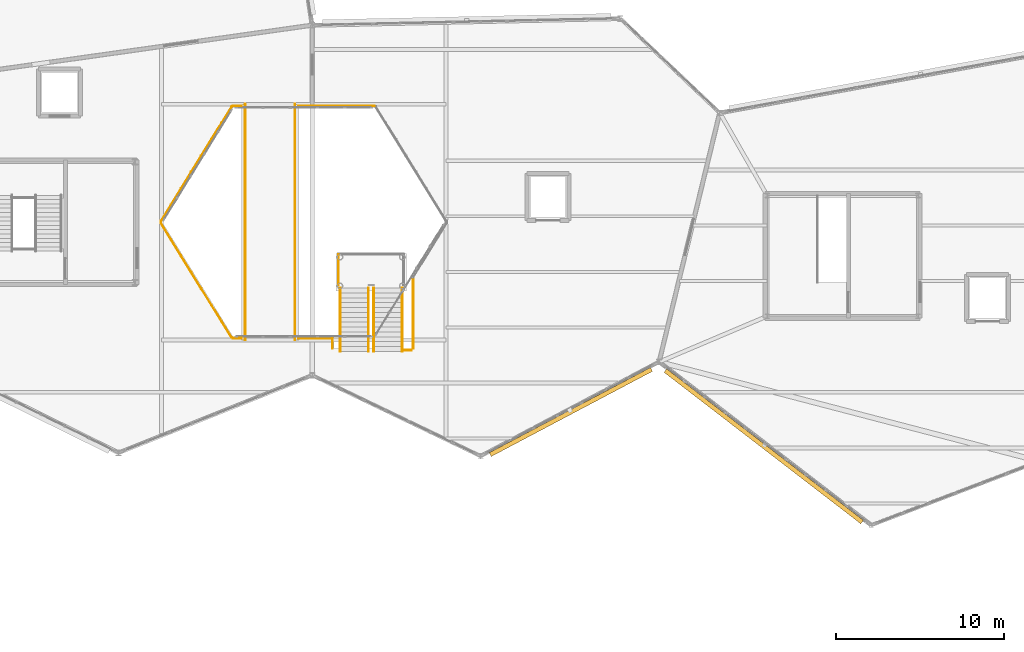
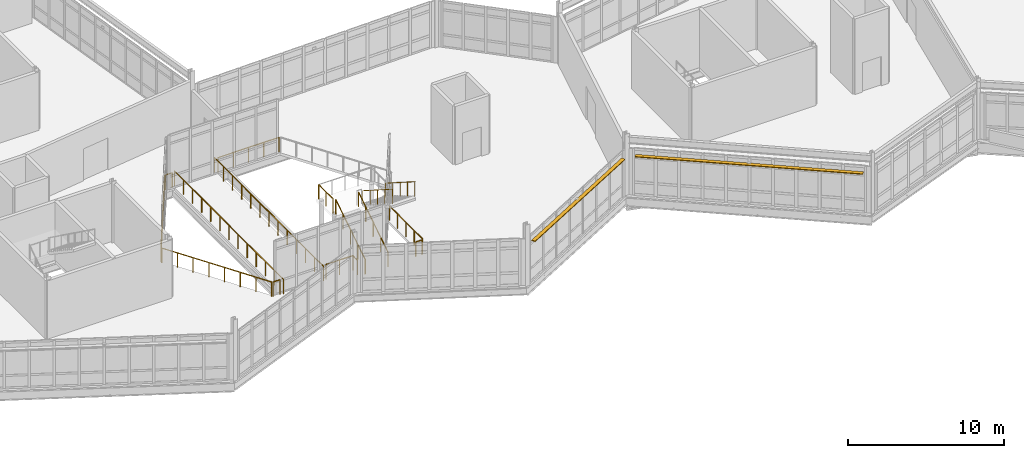
# One storey, part 72 of 76: 16 railings, 2 shading devices.
"""IFC4 building model written with IfcOpenShell, lengths in metres."""

from ifc_helpers import new_model, si_unit, direction, frame, origin, origin_2d, place, context, subcontext, project, spatial, rectangle, circle, extrude, material, layer, layer_set, type_object, element, save


model = new_model("IFC4")

# Units and contexts
model_context = context("Model", 3, precision=1e-05, world=origin(), true_north=direction((0.0, 1.0)))
body_context = subcontext(model_context, "Body", "Model", "MODEL_VIEW")
ifc_project = project(units=[si_unit("LENGTHUNIT", "METRE"), si_unit("AREAUNIT", "SQUARE_METRE"), si_unit("VOLUMEUNIT", "CUBIC_METRE"), si_unit("PLANEANGLEUNIT", "RADIAN"), si_unit("MASSUNIT", "GRAM", prefix="KILO")], contexts=[model_context])

# Site, building, storey
site_placement = place(None, origin())
site = spatial("IfcSite", under=ifc_project, at=site_placement, CompositionType="ELEMENT")
building_placement = place(site_placement, origin())
building = spatial("IfcBuilding", under=site, at=building_placement, Name="Tameran Prism Museum", CompositionType="ELEMENT")
storey_placement = place(building_placement, frame((0.0, 0.0, 15.0)))
storey = spatial("IfcBuildingStorey", under=building, at=storey_placement, Name="L03", CompositionType="ELEMENT", Elevation=15.0)

# Railings
ifc_material_1 = material(Name="Laminated Glass and Stainless Steel 316", Category="steel")
ifc_layer_1 = layer(ifc_material_1, 0.06494140625)
ifc_layer_set_1 = layer_set([ifc_layer_1])
railing_type = type_object("IfcRailingType", Name="RL-BAL-1150", PredefinedType="BALUSTRADE", material=ifc_layer_set_1)
for number, where, name in (
    (1, (79.159912109375, 28.820068359375, 0.0), "Atrium Stair Guardrail BL-131"),
    (2, (80.840087890625, 28.820068359375, 0.0), "Atrium Stair Guardrail BL-132"),
):
    element("IfcRailing", number, at=place(storey_placement, frame(where)), inside=storey, type_object=railing_type, Name=name, PredefinedType="BALUSTRADE", context=body_context, shape_type="SweptSolid", body=[
        extrude(circle(Radius=0.02392578125, at=origin_2d()), frame((0.0, 0.0, 1.1259765625), z_axis=(0.0, 0.843580498726, 0.537002739443), x_axis=(-1.0, 0.0, 0.0)), (0.0, 0.0, 1.0), 4.468994140625),
        extrude(circle(Radius=0.02099609375, at=origin_2d()), origin(), (0.0, 0.0, 1.0), 1.101806640625),
        extrude(circle(Radius=0.02099609375, at=origin_2d()), frame((0.0, 0.9423828125, 0.60009765625)), (0.0, 0.0, 1.0), 1.101806640625),
        extrude(circle(Radius=0.02099609375, at=origin_2d()), frame((0.0, 1.885009765625, 1.199951171875)), (0.0, 0.0, 1.0), 1.101806640625),
        extrude(circle(Radius=0.02099609375, at=origin_2d()), frame((0.0, 2.82763671875, 1.7998046875)), (0.0, 0.0, 1.0), 1.101806640625),
        extrude(circle(Radius=0.02099609375, at=origin_2d()), frame((0.0, 3.77001953125, 2.39990234375)), (0.0, 0.0, 1.0), 1.101806640625),
    ])
for number, where, name in (
    (3, (81.159912109375, 32.590087890625, 2.39990234375), "Atrium Stair Guardrail BL-133"),
    (4, (82.840087890625, 32.590087890625, 2.39990234375), "Atrium Stair Guardrail BL-134"),
):
    element("IfcRailing", number, at=place(storey_placement, frame(where)), inside=storey, type_object=railing_type, Name=name, PredefinedType="BALUSTRADE", context=body_context, shape_type="SweptSolid", body=[
        extrude(circle(Radius=0.02392578125, at=origin_2d()), frame((0.0, 0.0, 1.1259765625), z_axis=(0.0, -0.843555751359, 0.537041613237), x_axis=(1.0, 0.0, 0.0)), (0.0, 0.0, 1.0), 4.46923828125),
        extrude(circle(Radius=0.02099609375, at=origin_2d()), origin(), (0.0, 0.0, 1.0), 1.101806640625),
        extrude(circle(Radius=0.02099609375, at=origin_2d()), frame((0.0, -0.9423828125, 0.60009765625)), (0.0, 0.0, 1.0), 1.101806640625),
        extrude(circle(Radius=0.02099609375, at=origin_2d()), frame((0.0, -1.885009765625, 1.2001953125)), (0.0, 0.0, 1.0), 1.101806640625),
        extrude(circle(Radius=0.02099609375, at=origin_2d()), frame((0.0, -2.82763671875, 1.800048828125)), (0.0, 0.0, 1.0), 1.101806640625),
        extrude(circle(Radius=0.02099609375, at=origin_2d()), frame((0.0, -3.77001953125, 2.400146484375)), (0.0, 0.0, 1.0), 1.101806640625),
    ])
railing_1_placement = place(storey_placement, frame((79.06005859375, 32.77001953125, 2.39990234375)))
element("IfcRailing", 5, at=railing_1_placement, inside=storey, type_object=railing_type, Name="Atrium Landing Perimeter Guard BL-136", PredefinedType="BALUSTRADE", context=body_context, shape_type="SweptSolid", body=[
    extrude(circle(Radius=0.02392578125, at=origin_2d()), frame((0.0, 0.0, 1.1259765625), z_axis=(0.0, 1.0, 0.0), x_axis=(-1.0, 0.0, 0.0)), (0.0, 0.0, 1.0), 1.820068359375),
    extrude(circle(Radius=0.02099609375, at=origin_2d()), origin(), (0.0, 0.0, 1.0), 1.101806640625),
    extrude(circle(Radius=0.02099609375, at=origin_2d()), frame((0.0, 0.91015625, 0.0)), (0.0, 0.0, 1.0), 1.101806640625),
    extrude(circle(Radius=0.02099609375, at=origin_2d()), frame((0.0, 1.820068359375, 0.0)), (0.0, 0.0, 1.0), 1.101806640625),
])
railing_2_placement = place(storey_placement, frame((72.715087890625, 29.64697265625, 0.0)))
element("IfcRailing", 6, at=railing_2_placement, inside=storey, type_object=railing_type, Name="Atrium Void Balustrade BL-A021", PredefinedType="BALUSTRADE", context=body_context, shape_type="SweptSolid", body=[
    extrude(circle(Radius=0.02392578125, at=origin_2d()), frame((0.0, 0.0, 1.1259765625), z_axis=(-0.525507837885, 0.85078875893, 0.0), x_axis=(-0.85078875893, -0.525507837885, 0.0)), (0.0, 0.0, 1.0), 7.99267578125),
    extrude(circle(Radius=0.02099609375, at=origin_2d()), origin(), (0.0, 0.0, 1.0), 1.101806640625),
    extrude(circle(Radius=0.02099609375, at=origin_2d()), frame((-0.60009765625, 0.971435546875, 0.0)), (0.0, 0.0, 1.0), 1.101806640625),
    extrude(circle(Radius=0.02099609375, at=origin_2d()), frame((-1.199951171875, 1.94287109375, 0.0)), (0.0, 0.0, 1.0), 1.101806640625),
    extrude(circle(Radius=0.02099609375, at=origin_2d()), frame((-1.800048828125, 2.914306640625, 0.0)), (0.0, 0.0, 1.0), 1.101806640625),
    extrude(circle(Radius=0.02099609375, at=origin_2d()), frame((-2.400146484375, 3.8857421875, 0.0)), (0.0, 0.0, 1.0), 1.101806640625),
    extrude(circle(Radius=0.02099609375, at=origin_2d()), frame((-3.000244140625, 4.857177734375, 0.0)), (0.0, 0.0, 1.0), 1.101806640625),
    extrude(circle(Radius=0.02099609375, at=origin_2d()), frame((-3.60009765625, 5.82861328125, 0.0)), (0.0, 0.0, 1.0), 1.101806640625),
    extrude(circle(Radius=0.02099609375, at=origin_2d()), frame((-4.2001953125, 6.800048828125, 0.0)), (0.0, 0.0, 1.0), 1.101806640625),
])
railing_3_placement = place(storey_placement, frame((68.514892578125, 36.552978515625, 0.0)))
element("IfcRailing", 7, at=railing_3_placement, inside=storey, type_object=railing_type, Name="Atrium Void Balustrade BL-A022", PredefinedType="BALUSTRADE", context=body_context, shape_type="SweptSolid", body=[
    extrude(circle(Radius=0.02392578125, at=origin_2d()), frame((0.0, 0.0, 1.1259765625), z_axis=(0.525507837885, 0.85078875893, 0.0), x_axis=(-0.85078875893, 0.525507837885, 0.0)), (0.0, 0.0, 1.0), 7.99267578125),
    extrude(circle(Radius=0.02099609375, at=origin_2d()), origin(), (0.0, 0.0, 1.0), 1.101806640625),
    extrude(circle(Radius=0.02099609375, at=origin_2d()), frame((0.60009765625, 0.971435546875, 0.0)), (0.0, 0.0, 1.0), 1.101806640625),
    extrude(circle(Radius=0.02099609375, at=origin_2d()), frame((1.199951171875, 1.94287109375, 0.0)), (0.0, 0.0, 1.0), 1.101806640625),
    extrude(circle(Radius=0.02099609375, at=origin_2d()), frame((1.800048828125, 2.914306640625, 0.0)), (0.0, 0.0, 1.0), 1.101806640625),
    extrude(circle(Radius=0.02099609375, at=origin_2d()), frame((2.400146484375, 3.8857421875, 0.0)), (0.0, 0.0, 1.0), 1.101806640625),
    extrude(circle(Radius=0.02099609375, at=origin_2d()), frame((3.000244140625, 4.857177734375, 0.0)), (0.0, 0.0, 1.0), 1.101806640625),
    extrude(circle(Radius=0.02099609375, at=origin_2d()), frame((3.60009765625, 5.82861328125, 0.0)), (0.0, 0.0, 1.0), 1.101806640625),
    extrude(circle(Radius=0.02099609375, at=origin_2d()), frame((4.2001953125, 6.800048828125, 0.0)), (0.0, 0.0, 1.0), 1.101806640625),
])
railing_4_placement = place(storey_placement, frame((72.800048828125, 43.39990234375, 0.0)))
element("IfcRailing", 8, at=railing_4_placement, inside=storey, type_object=railing_type, Name="Atrium Void Balustrade BL-A023", PredefinedType="BALUSTRADE", context=body_context, shape_type="SweptSolid", body=[
    extrude(circle(Radius=0.02392578125, at=origin_2d()), frame((0.0, 0.0, 1.1259765625), z_axis=(1.0, 0.0, 0.0), x_axis=(0.0, 1.0, 0.0)), (0.0, 0.0, 1.0), 0.5),
    extrude(circle(Radius=0.02099609375, at=origin_2d()), origin(), (0.0, 0.0, 1.0), 1.101806640625),
    extrude(circle(Radius=0.02099609375, at=origin_2d()), frame((0.5, 0.0, 0.0)), (0.0, 0.0, 1.0), 1.101806640625),
])
railing_5_placement = place(storey_placement, frame((76.699951171875, 43.39990234375, 0.0)))
element("IfcRailing", 9, at=railing_5_placement, inside=storey, type_object=railing_type, Name="Atrium Void Balustrade BL-A024", PredefinedType="BALUSTRADE", context=body_context, shape_type="SweptSolid", body=[
    extrude(circle(Radius=0.02392578125, at=origin_2d()), frame((0.0, 0.0, 1.1259765625), z_axis=(1.0, 0.0, 0.0), x_axis=(0.0, 1.0, 0.0)), (0.0, 0.0, 1.0), 4.5),
    extrude(circle(Radius=0.02099609375, at=origin_2d()), origin(), (0.0, 0.0, 1.0), 1.101806640625),
    extrude(circle(Radius=0.02099609375, at=origin_2d()), frame((1.125, 0.0, 0.0)), (0.0, 0.0, 1.0), 1.101806640625),
    extrude(circle(Radius=0.02099609375, at=origin_2d()), frame((2.25, 0.0, 0.0)), (0.0, 0.0, 1.0), 1.101806640625),
    extrude(circle(Radius=0.02099609375, at=origin_2d()), frame((3.375, 0.0, 0.0)), (0.0, 0.0, 1.0), 1.101806640625),
    extrude(circle(Radius=0.02099609375, at=origin_2d()), frame((4.5, 0.0, 0.0)), (0.0, 0.0, 1.0), 1.101806640625),
])
railing_6_placement = place(storey_placement, frame((83.5, 33.23388671875, 0.0)))
element("IfcRailing", 10, at=railing_6_placement, inside=storey, type_object=railing_type, Name="Atrium Void Balustrade BL-A027", PredefinedType="BALUSTRADE", context=body_context, shape_type="SweptSolid", body=[
    extrude(circle(Radius=0.02392578125, at=origin_2d()), frame((0.0, 0.0, 1.1259765625), z_axis=(0.0, -1.0, 0.0), x_axis=(1.0, 0.0, 0.0)), (0.0, 0.0, 1.0), 4.23388671875),
    extrude(circle(Radius=0.02099609375, at=origin_2d()), origin(), (0.0, 0.0, 1.0), 1.101806640625),
    extrude(circle(Radius=0.02099609375, at=origin_2d()), frame((0.0, -1.05859375, 0.0)), (0.0, 0.0, 1.0), 1.101806640625),
    extrude(circle(Radius=0.02099609375, at=origin_2d()), frame((0.0, -2.116943359375, 0.0)), (0.0, 0.0, 1.0), 1.101806640625),
    extrude(circle(Radius=0.02099609375, at=origin_2d()), frame((0.0, -3.17529296875, 0.0)), (0.0, 0.0, 1.0), 1.101806640625),
    extrude(circle(Radius=0.02099609375, at=origin_2d()), frame((0.0, -4.23388671875, 0.0)), (0.0, 0.0, 1.0), 1.101806640625),
])
railing_7_placement = place(storey_placement, frame((83.39990234375, 28.89990234375, 0.0)))
element("IfcRailing", 11, at=railing_7_placement, inside=storey, type_object=railing_type, Name="Atrium Void Balustrade BL-A028", PredefinedType="BALUSTRADE", context=body_context, shape_type="SweptSolid", body=[
    extrude(circle(Radius=0.02392578125, at=origin_2d()), frame((0.0, 0.0, 1.1259765625), z_axis=(-1.0, 0.0, 0.0), x_axis=(0.0, -1.0, 0.0)), (0.0, 0.0, 1.0), 0.449951171875),
    extrude(circle(Radius=0.02099609375, at=origin_2d()), origin(), (0.0, 0.0, 1.0), 1.101806640625),
    extrude(circle(Radius=0.02099609375, at=origin_2d()), frame((-0.449951171875, 0.0, 0.0)), (0.0, 0.0, 1.0), 1.101806640625),
])
railing_8_placement = place(storey_placement, frame((78.699951171875, 29.0, 0.0)))
element("IfcRailing", 12, at=railing_8_placement, inside=storey, type_object=railing_type, Name="Atrium Void Balustrade BL-A029", PredefinedType="BALUSTRADE", context=body_context, shape_type="SweptSolid", body=[
    extrude(circle(Radius=0.02392578125, at=origin_2d()), frame((0.0, 0.0, 1.1259765625), z_axis=(0.0, 1.0, 0.0), x_axis=(-1.0, 0.0, 0.0)), (0.0, 0.0, 1.0), 0.60009765625),
    extrude(circle(Radius=0.02099609375, at=origin_2d()), origin(), (0.0, 0.0, 1.0), 1.101806640625),
    extrude(circle(Radius=0.02099609375, at=origin_2d()), frame((0.0, 0.60009765625, 0.0)), (0.0, 0.0, 1.0), 1.101806640625),
])
railing_9_placement = place(storey_placement, frame((78.699951171875, 29.60009765625, 0.0)))
element("IfcRailing", 13, at=railing_9_placement, inside=storey, type_object=railing_type, Name="Atrium Void Balustrade BL-A030", PredefinedType="BALUSTRADE", context=body_context, shape_type="SweptSolid", body=[
    extrude(circle(Radius=0.02392578125, at=origin_2d()), frame((0.0, 0.0, 1.1259765625), z_axis=(-1.0, 0.0, 0.0), x_axis=(0.0, -1.0, 0.0)), (0.0, 0.0, 1.0), 2.0),
    extrude(circle(Radius=0.02099609375, at=origin_2d()), origin(), (0.0, 0.0, 1.0), 1.101806640625),
    extrude(circle(Radius=0.02099609375, at=origin_2d()), frame((-1.0, 0.0, 0.0)), (0.0, 0.0, 1.0), 1.101806640625),
    extrude(circle(Radius=0.02099609375, at=origin_2d()), frame((-2.0, 0.0, 0.0)), (0.0, 0.0, 1.0), 1.101806640625),
])
railing_10_placement = place(storey_placement, frame((73.300048828125, 29.60009765625, 0.0)))
element("IfcRailing", 14, at=railing_10_placement, inside=storey, type_object=railing_type, Name="Atrium Void Balustrade BL-A031", PredefinedType="BALUSTRADE", context=body_context, shape_type="SweptSolid", body=[
    extrude(circle(Radius=0.02392578125, at=origin_2d()), frame((0.0, 0.0, 1.1259765625), z_axis=(-1.0, 0.0, 0.0), x_axis=(0.0, -1.0, 0.0)), (0.0, 0.0, 1.0), 0.5),
    extrude(circle(Radius=0.02099609375, at=origin_2d()), origin(), (0.0, 0.0, 1.0), 1.101806640625),
    extrude(circle(Radius=0.02099609375, at=origin_2d()), frame((-0.5, 0.0, 0.0)), (0.0, 0.0, 1.0), 1.101806640625),
])
for number, where, name in (
    (15, (73.52001953125, 29.5, 0.0), "Atrium Bridge Balustrade BL-B44"),
    (16, (76.47998046875, 29.5, 0.0), "Atrium Bridge Balustrade BL-B45"),
):
    element("IfcRailing", number, at=place(storey_placement, frame(where)), inside=storey, type_object=railing_type, Name=name, PredefinedType="BALUSTRADE", context=body_context, shape_type="SweptSolid", body=[
        extrude(circle(Radius=0.02392578125, at=origin_2d()), frame((0.0, 0.0, 1.1259765625), z_axis=(0.0, 1.0, 0.0), x_axis=(-1.0, 0.0, 0.0)), (0.0, 0.0, 1.0), 14.0),
        extrude(circle(Radius=0.02099609375, at=origin_2d()), origin(), (0.0, 0.0, 1.0), 1.101806640625),
        extrude(circle(Radius=0.02099609375, at=origin_2d()), frame((0.0, 1.166748046875, 0.0)), (0.0, 0.0, 1.0), 1.101806640625),
        extrude(circle(Radius=0.02099609375, at=origin_2d()), frame((0.0, 2.333251953125, 0.0)), (0.0, 0.0, 1.0), 1.101806640625),
        extrude(circle(Radius=0.02099609375, at=origin_2d()), frame((0.0, 3.5, 0.0)), (0.0, 0.0, 1.0), 1.101806640625),
        extrude(circle(Radius=0.02099609375, at=origin_2d()), frame((0.0, 4.666748046875, 0.0)), (0.0, 0.0, 1.0), 1.101806640625),
        extrude(circle(Radius=0.02099609375, at=origin_2d()), frame((0.0, 5.833251953125, 0.0)), (0.0, 0.0, 1.0), 1.101806640625),
        extrude(circle(Radius=0.02099609375, at=origin_2d()), frame((0.0, 7.0, 0.0)), (0.0, 0.0, 1.0), 1.101806640625),
        extrude(circle(Radius=0.02099609375, at=origin_2d()), frame((0.0, 8.166748046875, 0.0)), (0.0, 0.0, 1.0), 1.101806640625),
        extrude(circle(Radius=0.02099609375, at=origin_2d()), frame((0.0, 9.333251953125, 0.0)), (0.0, 0.0, 1.0), 1.101806640625),
        extrude(circle(Radius=0.02099609375, at=origin_2d()), frame((0.0, 10.5, 0.0)), (0.0, 0.0, 1.0), 1.101806640625),
        extrude(circle(Radius=0.02099609375, at=origin_2d()), frame((0.0, 11.666748046875, 0.0)), (0.0, 0.0, 1.0), 1.101806640625),
        extrude(circle(Radius=0.02099609375, at=origin_2d()), frame((0.0, 12.833251953125, 0.0)), (0.0, 0.0, 1.0), 1.101806640625),
        extrude(circle(Radius=0.02099609375, at=origin_2d()), frame((0.0, 14.0, 0.0)), (0.0, 0.0, 1.0), 1.101806640625),
    ])

# Shading devices
ifc_material_2 = material(Name="Anodised Aluminium Alloy 6063-T6", Category="aluminium")
ifc_layer_2 = layer(ifc_material_2, 0.044921875)
ifc_layer_set_2 = layer_set([ifc_layer_2])
shading_device_type_1 = type_object("IfcShadingDeviceType", Name="SH-JAL-240", PredefinedType="JALOUSIE", material=ifc_layer_set_2)
shading_device_1_placement = place(storey_placement, frame((92.85693359375, 25.22705078125, 3.139892578125), z_axis=(0.0, 0.0, 1.0), x_axis=(-0.88417363932, -0.467158405181, 0.0)))
element("IfcShadingDevice", 17, at=shading_device_1_placement, inside=storey, type_object=shading_device_type_1, Name="Monsoon Storm Louvre SLV-060", PredefinedType="JALOUSIE", context=body_context, shape_type="SweptSolid", body=[
    extrude(rectangle(XDim=10.827880859375, YDim=0.260009765625, at=origin_2d()), origin(), (0.0, 0.0, 1.0), 0.06005859375),
])
ifc_material_3 = material(Name="Anodised Aluminium Alloy 6063-T6", Category="aluminium")
ifc_layer_3 = layer(ifc_material_3, 0.050048828125)
ifc_layer_set_3 = layer_set([ifc_layer_3])
shading_device_type_2 = type_object("IfcShadingDeviceType", Name="SH-LOUV-300", PredefinedType="SHUTTER", material=ifc_layer_set_3)
shading_device_2_placement = place(storey_placement, frame((104.31396484375, 23.18798828125, 3.139892578125), z_axis=(0.0, 0.0, 1.0), x_axis=(-0.792396121708, 0.61000687398, 0.0)))
element("IfcShadingDevice", 18, at=shading_device_2_placement, inside=storey, type_object=shading_device_type_2, Name="Monsoon Storm Louvre SLV-063", PredefinedType="SHUTTER", context=body_context, shape_type="SweptSolid", body=[
    extrude(rectangle(XDim=14.740966796875, YDim=0.260009765625, at=origin_2d()), origin(), (0.0, 0.0, 1.0), 0.06005859375),
])

save(model, "model.ifc")
